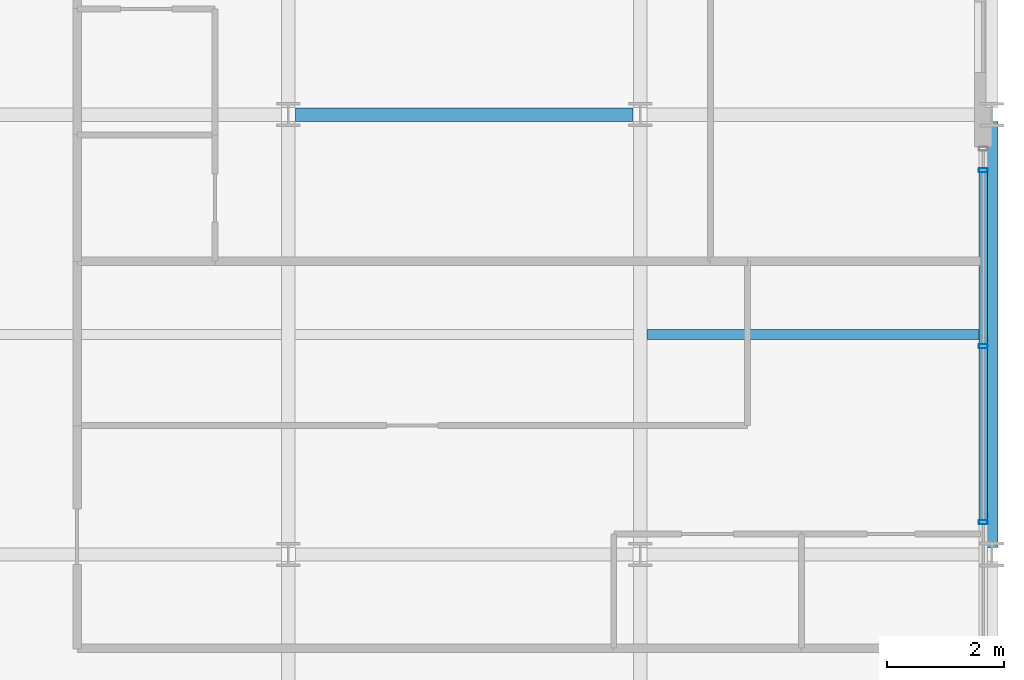
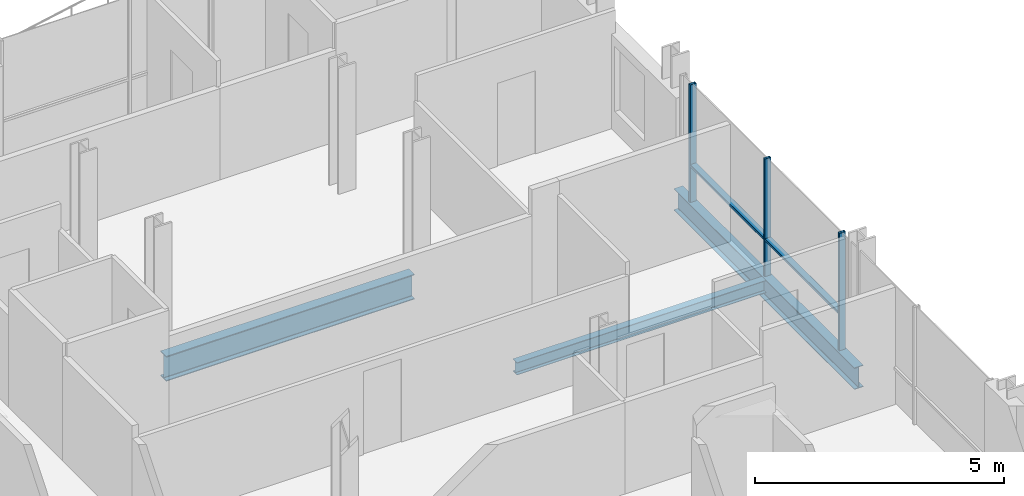
# One storey, part 21 of 41: 5 members, 3 beams, 1 element without a shape of its own.
"""IFC4 building model written with IfcOpenShell, lengths in metres."""

import ifcopenshell
import ifcopenshell.guid

model = None  # the IFC model being written
_history = None  # IfcOwnerHistory: only IFC2X3 demands one
_inside = {}  # id of a spatial element -> (the spatial element, [elements in it])
_under = {}  # id of a project, library or spatial element -> (it, [spatial elements below it])
_declared = {}  # id of a project -> (the project, [libraries it declares])
_typed = {}  # id of a type object -> (the type object, [elements of that type])
_made_of = {}  # id of a material, layer set ... -> (it, [elements and type objects made of it])


def new_model(schema):
    """Start an empty IFC model of exactly this schema.

    Asked for "IFC4X3", IfcOpenShell would pick the latest addendum, in which some entities
    have other attributes; the version numbers below select the first issue.
    IFC2X3 requires an IfcOwnerHistory on every rooted entity: one is made here for all.
    """
    global model, _history
    if schema == "IFC4X3":
        model = ifcopenshell.file(schema_version=(4, 3, 0, 0))
    else:
        model = ifcopenshell.file(schema=schema)
    _inside.clear()
    _under.clear()
    _declared.clear()
    _typed.clear()
    _made_of.clear()
    _history = None
    if model.schema == "IFC2X3":
        org = make("IfcOrganization", Name="unknown")
        user = make(
            "IfcPersonAndOrganization",
            ThePerson=make("IfcPerson", FamilyName="unknown"),
            TheOrganization=org,
        )
        app = make(
            "IfcApplication",
            ApplicationDeveloper=org,
            Version="unknown",
            ApplicationFullName="unknown",
            ApplicationIdentifier="unknown",
        )
        _history = make(
            "IfcOwnerHistory",
            OwningUser=user,
            OwningApplication=app,
            ChangeAction="ADDED",
            CreationDate=0,
        )
    return model


def make(cls, **values):
    """One entity of the class cls with the attributes given. An attribute that is None is left unset."""
    return model.create_entity(
        cls, **{name: value for name, value in values.items() if value is not None}
    )


def rooted(cls, **values):
    """An entity with a GlobalId (a new one), such as an element, a storey or a relation."""
    return make(cls, GlobalId=ifcopenshell.guid.new(), OwnerHistory=_history, **values)


def si_unit(unit_type, name, prefix=None):
    """IfcSIUnit, for example si_unit("LENGTHUNIT", "METRE", prefix="MILLI")."""
    return make("IfcSIUnit", UnitType=unit_type, Prefix=prefix, Name=name)


def assignment(units):
    """IfcUnitAssignment: the units of a project."""
    return None if units is None else make("IfcUnitAssignment", Units=units)


def point(xyz):
    """IfcCartesianPoint."""
    return None if xyz is None else make("IfcCartesianPoint", Coordinates=xyz)


def direction(xyz):
    """IfcDirection."""
    return None if xyz is None else make("IfcDirection", DirectionRatios=xyz)


def frame(location, z_axis=None, x_axis=None):
    """IfcAxis2Placement3D, a coordinate frame: its origin and axes. An axis left out is left unset."""
    return make(
        "IfcAxis2Placement3D",
        Location=point(location),
        Axis=direction(z_axis),
        RefDirection=direction(x_axis),
    )


def frame_2d(location, x_axis=None):
    """IfcAxis2Placement2D, a coordinate frame in the plane: its origin and x axis."""
    return make(
        "IfcAxis2Placement2D", Location=point(location), RefDirection=direction(x_axis)
    )


def origin():
    """The frame at (0, 0, 0) with its axes left unset."""
    return frame((0.0, 0.0, 0.0))


def origin_2d():
    """The frame at (0, 0) in the plane with its x axis left unset."""
    return frame_2d((0.0, 0.0))


def place(relative_to, where):
    """IfcLocalPlacement: puts the frame where relative to a parent placement (None: the world)."""
    return make(
        "IfcLocalPlacement", PlacementRelTo=relative_to, RelativePlacement=where
    )


def context(
    kind, dimensions, precision=None, world=None, true_north=None, identifier=None
):
    """IfcGeometricRepresentationContext, for example the 3D "Model" context."""
    return make(
        "IfcGeometricRepresentationContext",
        ContextIdentifier=identifier,
        ContextType=kind,
        CoordinateSpaceDimension=dimensions,
        Precision=precision,
        WorldCoordinateSystem=world,
        TrueNorth=true_north,
    )


def subcontext(parent, identifier, kind, view, scale=None):
    """IfcGeometricRepresentationSubContext, for example "Body" below "Model"."""
    return make(
        "IfcGeometricRepresentationSubContext",
        ContextIdentifier=identifier,
        ContextType=kind,
        ParentContext=parent,
        TargetScale=scale,
        TargetView=view,
    )


def project(units=None, contexts=None):
    """IfcProject with its units and contexts."""
    return rooted(
        "IfcProject",
        Name="project",
        RepresentationContexts=contexts,
        UnitsInContext=assignment(units),
    )


def spatial(cls, under=None, at=None, **own):
    """A site, building, storey or space (cls), placed at a placement, below another one or the project."""
    s = rooted(cls, ObjectPlacement=at, **own)
    if under is not None:
        _under.setdefault(under.id(), (under, []))[1].append(s)
    return s


def profile(cls, at=None, kind="AREA", **sizes):
    """A parametric profile (cls). Its sizes go by their IFC names, for example OverallWidth=200.0."""
    return make(cls, ProfileType=kind, Position=at, **sizes)


def hollow_rectangle(**sizes):
    """IfcRectangleHollowProfileDef."""
    return profile("IfcRectangleHollowProfileDef", **sizes)


def i_section(**sizes):
    """IfcIShapeProfileDef."""
    return profile("IfcIShapeProfileDef", **sizes)


def extrude(swept, where, along, depth):
    """IfcExtrudedAreaSolid: the profile swept, set in the frame where, extruded along a direction by depth."""
    return make(
        "IfcExtrudedAreaSolid",
        SweptArea=swept,
        Position=where,
        ExtrudedDirection=direction(along),
        Depth=depth,
    )


def shape(context_of_items, identifier, shape_type, items):
    """IfcShapeRepresentation: the items that make up one representation, for example the "Body"."""
    return make(
        "IfcShapeRepresentation",
        ContextOfItems=context_of_items,
        RepresentationIdentifier=identifier,
        RepresentationType=shape_type,
        Items=items,
    )


def material(Name=None, Category=None):
    """IfcMaterial."""
    return make("IfcMaterial", Name=Name, Category=Category)


def layer(
    of_material, thickness, ventilated=None, Name=None, Category=None, Priority=None
):
    """IfcMaterialLayer: one layer of a wall or slab, of a material (None: an air gap)."""
    return make(
        "IfcMaterialLayer",
        Material=of_material,
        LayerThickness=thickness,
        IsVentilated=ventilated,
        Name=Name,
        Category=Category,
        Priority=Priority,
    )


def layer_set(layers, Name=None):
    """IfcMaterialLayerSet."""
    return make("IfcMaterialLayerSet", MaterialLayers=layers, LayerSetName=Name)


def material_profile(
    of_material, cross_section, Name=None, Category=None, Priority=None
):
    """IfcMaterialProfile: a cross section and its material."""
    return make(
        "IfcMaterialProfile",
        Name=Name,
        Material=of_material,
        Profile=cross_section,
        Priority=Priority,
        Category=Category,
    )


def profile_set(profiles, Name=None, composite=None):
    """IfcMaterialProfileSet."""
    return make(
        "IfcMaterialProfileSet",
        Name=Name,
        MaterialProfiles=profiles,
        CompositeProfile=composite,
    )


def made_of(thing, what):
    """Note that an element or type object is made of a material, layer set ...; save() writes the relation."""
    if what is not None:
        _made_of.setdefault(what.id(), (what, []))[1].append(thing)
    return thing


def type_object(cls, material=None, **own):
    """A type object (cls), such as IfcWallType, which elements share."""
    return made_of(rooted(cls, **own), material)


def element(
    cls,
    number,
    at=None,
    inside=None,
    cuts=None,
    type_object=None,
    material=None,
    context=None,
    identifier="Body",
    shape_type=None,
    held_by="IfcProductDefinitionShape",
    body=None,
    shapes=None,
    **own,
):
    """One element of the class cls, such as IfcWall. Its Tag is "e" and its number.

    at: its placement. inside: the storey or other place that contains it. cuts: it is an
    opening in that element (IfcRelVoidsElement). A single representation is given by context,
    identifier, shape_type and body (its items); several are given by shapes. held_by: the class
    of the entity that holds the representations. save() writes the other relations.
    """
    e = rooted(cls, Tag="e%d" % number, ObjectPlacement=at, **own)
    if body is not None:
        shapes = [shape(context, identifier, shape_type, body)]
    if shapes is not None:
        e.Representation = make(held_by, Representations=shapes)
    if inside is not None:
        _inside.setdefault(inside.id(), (inside, []))[1].append(e)
    if cuts is not None:
        rooted(
            "IfcRelVoidsElement", RelatingBuildingElement=cuts, RelatedOpeningElement=e
        )
    if type_object is not None:
        _typed.setdefault(type_object.id(), (type_object, []))[1].append(e)
    return made_of(e, material)


def aggregate(whole, parts):
    """IfcRelAggregates: a whole, such as a stair, and the parts it consists of."""
    return rooted("IfcRelAggregates", RelatingObject=whole, RelatedObjects=parts)


def save(model, path):
    """Write the relations noted so far, then the file.

    IfcRelAggregates (storeys below a building ...), IfcRelContainedInSpatialStructure (elements
    in a storey), IfcRelDefinesByType, IfcRelAssociatesMaterial and IfcRelDeclares: one each for
    every whole, place, type object, material and project.
    """
    for whole, parts in _under.values():
        aggregate(whole, parts)
    for where, things in _inside.values():
        rooted(
            "IfcRelContainedInSpatialStructure",
            RelatedElements=things,
            RelatingStructure=where,
        )
    for kind, things in _typed.values():
        rooted("IfcRelDefinesByType", RelatedObjects=things, RelatingType=kind)
    for what, things in _made_of.values():
        rooted("IfcRelAssociatesMaterial", RelatedObjects=things, RelatingMaterial=what)
    for by, libraries in _declared.values():
        rooted("IfcRelDeclares", RelatingContext=by, RelatedDefinitions=libraries)
    model.write(path)


model = new_model("IFC4")

# Units and contexts
model_context = context("Model", 3, precision=1e-05, world=origin(), true_north=direction((0.0, 1.0)))
body_context = subcontext(model_context, "Body", "Model", "MODEL_VIEW")
ifc_project = project(units=[si_unit("LENGTHUNIT", "METRE"), si_unit("AREAUNIT", "SQUARE_METRE"), si_unit("VOLUMEUNIT", "CUBIC_METRE"), si_unit("PLANEANGLEUNIT", "RADIAN"), si_unit("MASSUNIT", "GRAM", prefix="KILO")], contexts=[model_context])

# Site, building, storey
site_placement = place(None, origin())
site = spatial("IfcSite", under=ifc_project, at=site_placement, CompositionType="ELEMENT")
building_placement = place(site_placement, origin())
building = spatial("IfcBuilding", under=site, at=building_placement, Name="Brevholm Reach", CompositionType="ELEMENT")
storey_placement = place(building_placement, frame((0.0, 0.0, 151.10009765625)))
storey = spatial("IfcBuildingStorey", under=building, at=storey_placement, Name="L45", CompositionType="ELEMENT", Elevation=151.10009765625)

# Beams
ifc_material_1 = material(Name="Structural Steel S355J2", Category="steel")
ifc_material_profile_1 = material_profile(ifc_material_1, i_section(OverallWidth=0.1650390625, OverallDepth=0.303466796875, WebThickness=0.006103515625, FlangeThickness=0.01025390625, FilletRadius=0.0087890625, at=origin_2d()), Name="UKB 305x165x40")
ifc_profile_set_1 = profile_set([ifc_material_profile_1], Name="Structural Steel S355J2")
beam_type_1 = type_object("IfcBeamType", Name="BM-B305", PredefinedType="BEAM", material=ifc_profile_set_1)
beam_1_placement = place(storey_placement, frame((54.114501953125, 19.75, -0.371826171875), z_axis=(1.0, 0.0, 0.0), x_axis=(0.0, 1.0, 0.0)))
element("IfcBeam", 1, at=beam_1_placement, inside=storey, type_object=beam_type_1, Name="L45 Composite Secondary Floor Beam", PredefinedType="BEAM", context=body_context, shape_type="SweptSolid", body=[
    extrude(i_section(OverallWidth=0.1650390625, OverallDepth=0.303466796875, WebThickness=0.006103515625, FlangeThickness=0.01025390625, FilletRadius=0.0087890625, at=origin_2d()), origin(), (0.0, 0.0, 1.0), 5.78076171875),
])
ifc_material_2 = material(Name="Structural Steel S355J2", Category="steel")
ifc_material_profile_2 = material_profile(ifc_material_2, i_section(OverallWidth=0.209228515625, OverallDepth=0.533203125, WebThickness=0.010009765625, FlangeThickness=0.015625, FilletRadius=0.0126953125, at=origin_2d()), Name="UKB 533x210x92")
ifc_profile_set_2 = profile_set([ifc_material_profile_2], Name="Structural Steel S355J2")
beam_type_2 = type_object("IfcBeamType", Name="BM-SP533", PredefinedType="SPANDREL", material=ifc_profile_set_2)
beam_2_placement = place(storey_placement, frame((60.0, 16.1201171875, -0.486572265625), z_axis=(0.0, 1.0, 0.0), x_axis=(-1.0, 0.0, 0.0)))
element("IfcBeam", 2, at=beam_2_placement, inside=storey, type_object=beam_type_2, Name="L45 SP-02 Framing Beam", PredefinedType="SPANDREL", context=body_context, shape_type="SweptSolid", body=[
    extrude(i_section(OverallWidth=0.209228515625, OverallDepth=0.533203125, WebThickness=0.010009765625, FlangeThickness=0.015625, FilletRadius=0.0126953125, at=origin_2d()), origin(), (0.0, 0.0, 1.0), 7.259765625),
])
ifc_material_3 = material(Name="Structural Steel S355J2", Category="steel")
ifc_material_profile_3 = material_profile(ifc_material_3, i_section(OverallWidth=0.22900390625, OverallDepth=0.6123046875, WebThickness=0.011962890625, FlangeThickness=0.01953125, FilletRadius=0.0126953125, at=origin_2d()), Name="UKB 610x229x125")
ifc_profile_set_3 = profile_set([ifc_material_profile_3], Name="Structural Steel S355J2")
beam_type_3 = type_object("IfcBeamType", Name="BM-SP610", PredefinedType="SPANDREL", material=ifc_profile_set_3)
beam_3_placement = place(storey_placement, frame((48.1201171875, 23.5, -0.526123046875), z_axis=(1.0, 0.0, 0.0), x_axis=(0.0, 1.0, 0.0)))
element("IfcBeam", 3, at=beam_3_placement, inside=storey, type_object=beam_type_3, Name="L45 SP-01 Framing Beam", PredefinedType="SPANDREL", context=body_context, shape_type="SweptSolid", body=[
    extrude(i_section(OverallWidth=0.22900390625, OverallDepth=0.6123046875, WebThickness=0.011962890625, FlangeThickness=0.01953125, FilletRadius=0.0126953125, at=origin_2d()), origin(), (0.0, 0.0, 1.0), 5.759765625),
])

# Curtain wall, members
ifc_material_4 = material(Name="Dark Anodised Aluminium 6063-T6 and Solar-Control Glass", Category="aluminium")
ifc_layer = layer(ifc_material_4, 0.14990234375)
ifc_layer_set = layer_set([ifc_layer], Name="Dark Anodised Aluminium 6063-T6 and Solar-Control Glass")
curtain_wall_type = type_object("IfcCurtainWallType", Name="CW-01", PredefinedType="NOTDEFINED", material=ifc_layer_set)
curtain_wall_placement = place(storey_placement, origin())
curtain_wall = element("IfcCurtainWall", 4, at=curtain_wall_placement, inside=storey, type_object=curtain_wall_type, Name="L45 Curtain Wall CW-01", PredefinedType="NOTDEFINED")
ifc_material_5 = material(Name="Dark Anodised Aluminium 6063-T6", Category="aluminium")
ifc_material_profile_4 = material_profile(ifc_material_5, hollow_rectangle(XDim=0.06494140625, YDim=0.14990234375, WallThickness=0.0048828125, InnerFilletRadius=0.0048828125, OuterFilletRadius=0.010009765625, at=origin_2d()), Name="RHS 150x65x5")
ifc_profile_set_4 = profile_set([ifc_material_profile_4], Name="Dark Anodised Aluminium 6063-T6")
member_type_1 = type_object("IfcMemberType", Name="CWM-150", PredefinedType="MULLION", material=ifc_profile_set_4)
member_1_placement = place(storey_placement, frame((59.85009765625, 16.550048828125, 0.0), z_axis=(0.0, 0.0, 1.0), x_axis=(0.0, 1.0, 0.0)))
member_1 = element("IfcMember", 5, at=member_1_placement, type_object=member_type_1, Name="CM-150 Mullion 3", PredefinedType="MULLION", context=body_context, shape_type="SweptSolid", body=[
    extrude(hollow_rectangle(XDim=0.06494140625, YDim=0.14990234375, WallThickness=0.0048828125, InnerFilletRadius=0.0048828125, OuterFilletRadius=0.010009765625, at=origin_2d()), origin(), (0.0, 0.0, 1.0), 2.8798828125),
])
member_2_placement = place(storey_placement, frame((59.85009765625, 19.550048828125, 0.0), z_axis=(0.0, 0.0, 1.0), x_axis=(0.0, 1.0, 0.0)))
member_2 = element("IfcMember", 6, at=member_2_placement, type_object=member_type_1, Name="CM-150 Mullion 4", PredefinedType="MULLION", context=body_context, shape_type="SweptSolid", body=[
    extrude(hollow_rectangle(XDim=0.06494140625, YDim=0.14990234375, WallThickness=0.0048828125, InnerFilletRadius=0.0048828125, OuterFilletRadius=0.010009765625, at=origin_2d()), origin(), (0.0, 0.0, 1.0), 2.8798828125),
])
member_3_placement = place(storey_placement, frame((59.85009765625, 22.550048828125, 0.0), z_axis=(0.0, 0.0, 1.0), x_axis=(0.0, 1.0, 0.0)))
member_3 = element("IfcMember", 7, at=member_3_placement, type_object=member_type_1, Name="CM-150 Mullion 5", PredefinedType="MULLION", context=body_context, shape_type="SweptSolid", body=[
    extrude(hollow_rectangle(XDim=0.06494140625, YDim=0.14990234375, WallThickness=0.0048828125, InnerFilletRadius=0.0048828125, OuterFilletRadius=0.010009765625, at=origin_2d()), origin(), (0.0, 0.0, 1.0), 2.8798828125),
])
ifc_material_6 = material(Name="Dark Anodised Aluminium 6063-T6", Category="aluminium")
ifc_material_profile_5 = material_profile(ifc_material_6, hollow_rectangle(XDim=0.06494140625, YDim=0.14990234375, WallThickness=0.0048828125, InnerFilletRadius=0.0048828125, OuterFilletRadius=0.010009765625, at=origin_2d()), Name="RHS 150x65x5")
ifc_profile_set_5 = profile_set([ifc_material_profile_5], Name="Dark Anodised Aluminium 6063-T6")
member_type_2 = type_object("IfcMemberType", Name="CWT-150", PredefinedType="NOTDEFINED", material=ifc_profile_set_5)
member_4_placement = place(storey_placement, frame((59.85009765625, 16.58251953125, 0.89990234375), z_axis=(0.0, 1.0, 0.0), x_axis=(0.0, 0.0, 1.0)))
member_4 = element("IfcMember", 8, at=member_4_placement, type_object=member_type_2, Name="CT-150 Transom 3.1", ObjectType="TRANSOM", PredefinedType="USERDEFINED", context=body_context, shape_type="SweptSolid", body=[
    extrude(hollow_rectangle(XDim=0.06494140625, YDim=0.14990234375, WallThickness=0.0048828125, InnerFilletRadius=0.0048828125, OuterFilletRadius=0.010009765625, at=origin_2d()), origin(), (0.0, 0.0, 1.0), 2.93505859375),
])
member_5_placement = place(storey_placement, frame((59.85009765625, 19.58251953125, 0.89990234375), z_axis=(0.0, 1.0, 0.0), x_axis=(0.0, 0.0, 1.0)))
member_5 = element("IfcMember", 9, at=member_5_placement, type_object=member_type_2, Name="CT-150 Transom 4.1", ObjectType="TRANSOM", PredefinedType="USERDEFINED", context=body_context, shape_type="SweptSolid", body=[
    extrude(hollow_rectangle(XDim=0.06494140625, YDim=0.14990234375, WallThickness=0.0048828125, InnerFilletRadius=0.0048828125, OuterFilletRadius=0.010009765625, at=origin_2d()), origin(), (0.0, 0.0, 1.0), 2.93505859375),
])
aggregate(curtain_wall, [member_1, member_2, member_3, member_4, member_5])

save(model, "model.ifc")
